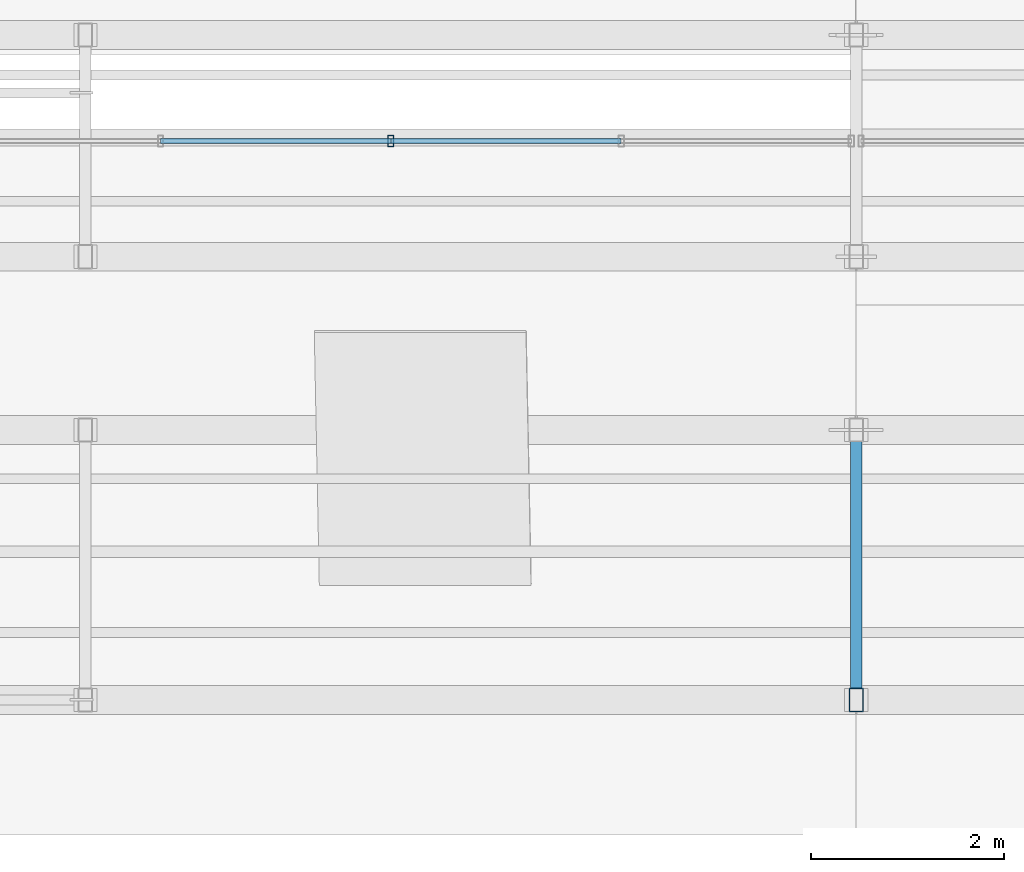
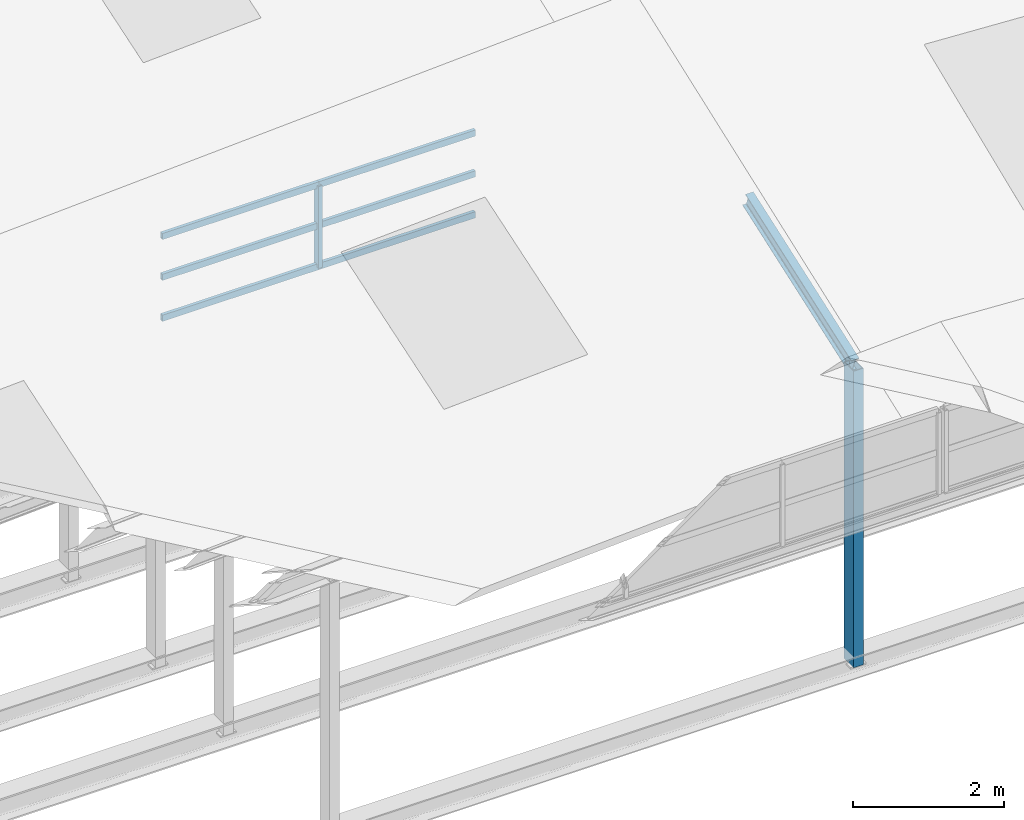
# One storey, part 92 of 141: 9 members, 1 element without a shape of its own.
"""IFC4 building model written with IfcOpenShell, lengths in metres."""

from ifc_helpers import new_model, si_unit, direction, frame, origin, origin_2d, place, context, subcontext, project, spatial, hollow_rectangle, i_section, extrude, material, material_profile, profile_set, type_object, element, aggregate, save


model = new_model("IFC4")

# Units and contexts
model_context = context("Model", 3, precision=1e-05, world=origin(), true_north=direction((0.0, 1.0)))
body_context = subcontext(model_context, "Body", "Model", "MODEL_VIEW")
ifc_project = project(units=[si_unit("LENGTHUNIT", "METRE"), si_unit("AREAUNIT", "SQUARE_METRE"), si_unit("VOLUMEUNIT", "CUBIC_METRE"), si_unit("PLANEANGLEUNIT", "RADIAN"), si_unit("MASSUNIT", "GRAM", prefix="KILO")], contexts=[model_context])

# Site, building, storey
site_placement = place(None, origin())
site = spatial("IfcSite", under=ifc_project, at=site_placement, CompositionType="ELEMENT")
building_placement = place(site_placement, origin())
building = spatial("IfcBuilding", under=site, at=building_placement, Name="Sundkrona Museum", CompositionType="ELEMENT")
storey_placement = place(building_placement, frame((0.0, 0.0, 34.0)))
storey = spatial("IfcBuildingStorey", under=building, at=storey_placement, Name="RF", CompositionType="ELEMENT", Elevation=34.0)

# Curtain wall, member
ifc_material_1 = material(Name="Unitised Aluminium-Steel and Ceramic-Clad Curtain Walling", Category="steel")
curtain_wall_type = type_object("IfcCurtainWallType", Name="CW-SW-240x13", PredefinedType="NOTDEFINED", material=ifc_material_1)
curtain_wall_placement = place(storey_placement, origin())
curtain_wall = element("IfcCurtainWall", 1, at=curtain_wall_placement, inside=storey, type_object=curtain_wall_type, Name="Sawtooth Bay 6 West North-Light Clerestory", PredefinedType="NOTDEFINED")
ifc_material_2 = material(Name="Aluminium EN AW-6060 T66", Category="aluminium")
ifc_material_profile_1 = material_profile(ifc_material_2, hollow_rectangle(XDim=0.06005859375, YDim=0.1201171875, WallThickness=0.0048828125, at=origin_2d()), Name="RHS 120x60x5.0")
ifc_profile_set_1 = profile_set([ifc_material_profile_1], Name="Aluminium EN AW-6060 T66")
member_type_1 = type_object("IfcMemberType", Name="ML-120", PredefinedType="MULLION", material=ifc_profile_set_1)
member_1_placement = place(storey_placement, frame((139.169921875, 42.699951171875, 4.31298828125), z_axis=(0.0, 0.0, 1.0), x_axis=(1.0, 0.0, 0.0)))
member_1 = element("IfcMember", 2, at=member_1_placement, type_object=member_type_1, Name="CW-RF-SAW-06W Mullion 09", PredefinedType="MULLION", context=body_context, shape_type="SweptSolid", body=[
    extrude(hollow_rectangle(XDim=0.06005859375, YDim=0.1201171875, WallThickness=0.0048828125, at=origin_2d()), origin(), (0.0, 0.0, 1.0), 1.320068359375),
])

# Members
ifc_material_3 = material(Name="Steel S355J2", Category="steel")
ifc_material_profile_2 = material_profile(ifc_material_3, i_section(OverallWidth=0.1201171875, OverallDepth=0.239990234375, WebThickness=0.006103515625, FlangeThickness=0.009765625, FilletRadius=0.014892578125, at=origin_2d()), Name="IPE 240")
ifc_profile_set_2 = profile_set([ifc_material_profile_2], Name="Steel S355J2")
member_type_2 = type_object("IfcMemberType", Name="PR-IPE240", PredefinedType="PURLIN", material=ifc_profile_set_2)
member_2_placement = place(storey_placement, frame((144.0, 36.89990234375, 4.535400390625), z_axis=(0.0, 0.942754878846, 0.333486489099), x_axis=(-1.0, 0.0, 0.0)))
element("IfcMember", 3, at=member_2_placement, inside=storey, type_object=member_type_2, Name="RFS-1 Sawtooth Bay 6 Transverse Rafter 4", PredefinedType="PURLIN", context=body_context, shape_type="SweptSolid", body=[
    extrude(i_section(OverallWidth=0.1201171875, OverallDepth=0.239990234375, WebThickness=0.006103515625, FlangeThickness=0.009765625, FilletRadius=0.014892578125, at=origin_2d()), origin(), (0.0, 0.0, 1.0), 2.969970703125),
])
ifc_material_profile_3 = material_profile(ifc_material_3, hollow_rectangle(XDim=0.14990234375, YDim=0.25, WallThickness=0.010009765625, at=origin_2d()), Name="RHS 250x150x10.0")
ifc_profile_set_3 = profile_set([ifc_material_profile_3], Name="Steel S355J2")
member_type_3 = type_object("IfcMemberType", Name="ST-RHS250", PredefinedType="STRUT", material=ifc_profile_set_3)
member_3_placement = place(storey_placement, frame((144.0, 36.89990234375, -0.25), z_axis=(0.0, 0.0, 1.0), x_axis=(1.0, 0.0, 0.0)))
element("IfcMember", 4, at=member_3_placement, inside=storey, type_object=member_type_3, Name="RFS-1 Sawtooth Bay 6 Valley Post 4", PredefinedType="STRUT", context=body_context, shape_type="SweptSolid", body=[
    extrude(hollow_rectangle(XDim=0.14990234375, YDim=0.25, WallThickness=0.010009765625, at=origin_2d()), origin(), (0.0, 0.0, 1.0), 4.785400390625),
])

# Member
ifc_material_profile_4 = material_profile(ifc_material_2, hollow_rectangle(XDim=0.050048828125, YDim=0.10009765625, WallThickness=0.0048828125, at=origin_2d()), Name="RHS 100x50x5.0")
ifc_profile_set_4 = profile_set([ifc_material_profile_4], Name="Aluminium EN AW-6060 T66")
member_type_4 = type_object("IfcMemberType", Name="TR-100", PredefinedType="USERDEFINED", material=ifc_profile_set_4)
member_4_placement = place(storey_placement, frame((136.780029296875, 42.699951171875, 4.31298828125), z_axis=(1.0, 0.0, 0.0), x_axis=(0.0, 1.0, 0.0)))
member_4 = element("IfcMember", 5, at=member_4_placement, type_object=member_type_4, Name="CW-RF-SAW-06W Transom 22", ObjectType="TRANSOM", PredefinedType="USERDEFINED", context=body_context, shape_type="SweptSolid", body=[
    extrude(hollow_rectangle(XDim=0.050048828125, YDim=0.10009765625, WallThickness=0.0048828125, at=origin_2d()), origin(), (0.0, 0.0, 1.0), 2.389892578125),
])

member_5_placement = place(storey_placement, frame((136.780029296875, 42.699951171875, 4.972900390625), z_axis=(1.0, 0.0, 0.0), x_axis=(0.0, 1.0, 0.0)))
member_5 = element("IfcMember", 6, at=member_5_placement, type_object=member_type_4, Name="CW-RF-SAW-06W Transom 23", ObjectType="TRANSOM", PredefinedType="USERDEFINED", context=body_context, shape_type="SweptSolid", body=[
    extrude(hollow_rectangle(XDim=0.050048828125, YDim=0.10009765625, WallThickness=0.0048828125, at=origin_2d()), origin(), (0.0, 0.0, 1.0), 2.389892578125),
])

member_6_placement = place(storey_placement, frame((136.780029296875, 42.699951171875, 5.633056640625), z_axis=(1.0, 0.0, 0.0), x_axis=(0.0, 1.0, 0.0)))
member_6 = element("IfcMember", 7, at=member_6_placement, type_object=member_type_4, Name="CW-RF-SAW-06W Transom 24", ObjectType="TRANSOM", PredefinedType="USERDEFINED", context=body_context, shape_type="SweptSolid", body=[
    extrude(hollow_rectangle(XDim=0.050048828125, YDim=0.10009765625, WallThickness=0.0048828125, at=origin_2d()), origin(), (0.0, 0.0, 1.0), 2.389892578125),
])

member_7_placement = place(storey_placement, frame((139.169921875, 42.699951171875, 4.31298828125), z_axis=(1.0, 0.0, 0.0), x_axis=(0.0, 1.0, 0.0)))
member_7 = element("IfcMember", 8, at=member_7_placement, type_object=member_type_4, Name="CW-RF-SAW-06W Transom 25", ObjectType="TRANSOM", PredefinedType="USERDEFINED", context=body_context, shape_type="SweptSolid", body=[
    extrude(hollow_rectangle(XDim=0.050048828125, YDim=0.10009765625, WallThickness=0.0048828125, at=origin_2d()), origin(), (0.0, 0.0, 1.0), 2.39013671875),
])

member_8_placement = place(storey_placement, frame((139.169921875, 42.699951171875, 4.972900390625), z_axis=(1.0, 0.0, 0.0), x_axis=(0.0, 1.0, 0.0)))
member_8 = element("IfcMember", 9, at=member_8_placement, type_object=member_type_4, Name="CW-RF-SAW-06W Transom 26", ObjectType="TRANSOM", PredefinedType="USERDEFINED", context=body_context, shape_type="SweptSolid", body=[
    extrude(hollow_rectangle(XDim=0.050048828125, YDim=0.10009765625, WallThickness=0.0048828125, at=origin_2d()), origin(), (0.0, 0.0, 1.0), 2.39013671875),
])

member_9_placement = place(storey_placement, frame((139.169921875, 42.699951171875, 5.633056640625), z_axis=(1.0, 0.0, 0.0), x_axis=(0.0, 1.0, 0.0)))
member_9 = element("IfcMember", 10, at=member_9_placement, type_object=member_type_4, Name="CW-RF-SAW-06W Transom 27", ObjectType="TRANSOM", PredefinedType="USERDEFINED", context=body_context, shape_type="SweptSolid", body=[
    extrude(hollow_rectangle(XDim=0.050048828125, YDim=0.10009765625, WallThickness=0.0048828125, at=origin_2d()), origin(), (0.0, 0.0, 1.0), 2.39013671875),
])

aggregate(curtain_wall, [member_1, member_4, member_5, member_6, member_7, member_8, member_9])

save(model, "model.ifc")
